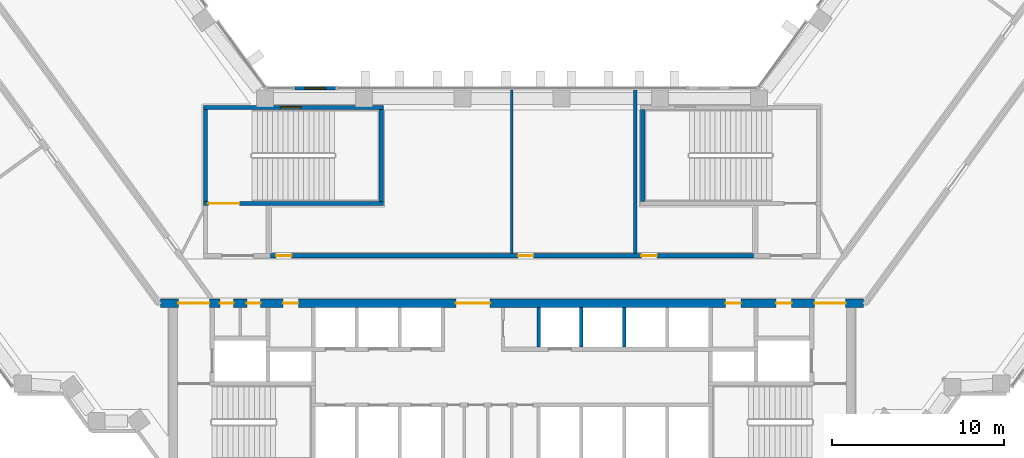
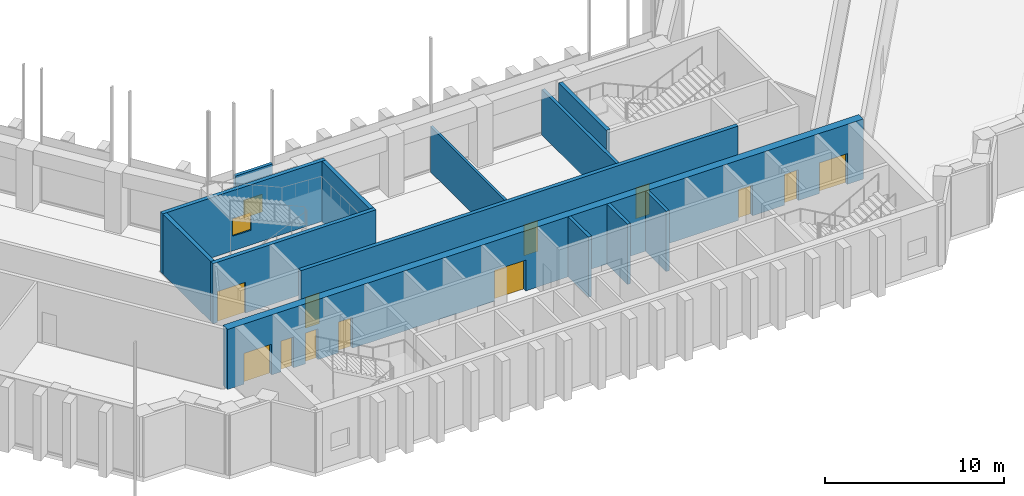
# One storey, part 11 of 18: 13 walls, 12 doors, 2 windows, 14 openings.
"""IFC4 building model written with IfcOpenShell, lengths in metres."""

import ifcopenshell
import ifcopenshell.guid

model = None  # the IFC model being written
_history = None  # IfcOwnerHistory: only IFC2X3 demands one
_inside = {}  # id of a spatial element -> (the spatial element, [elements in it])
_under = {}  # id of a project, library or spatial element -> (it, [spatial elements below it])
_declared = {}  # id of a project -> (the project, [libraries it declares])
_typed = {}  # id of a type object -> (the type object, [elements of that type])
_made_of = {}  # id of a material, layer set ... -> (it, [elements and type objects made of it])


def new_model(schema):
    """Start an empty IFC model of exactly this schema.

    Asked for "IFC4X3", IfcOpenShell would pick the latest addendum, in which some entities
    have other attributes; the version numbers below select the first issue.
    IFC2X3 requires an IfcOwnerHistory on every rooted entity: one is made here for all.
    """
    global model, _history
    if schema == "IFC4X3":
        model = ifcopenshell.file(schema_version=(4, 3, 0, 0))
    else:
        model = ifcopenshell.file(schema=schema)
    _inside.clear()
    _under.clear()
    _declared.clear()
    _typed.clear()
    _made_of.clear()
    _history = None
    if model.schema == "IFC2X3":
        org = make("IfcOrganization", Name="unknown")
        user = make(
            "IfcPersonAndOrganization",
            ThePerson=make("IfcPerson", FamilyName="unknown"),
            TheOrganization=org,
        )
        app = make(
            "IfcApplication",
            ApplicationDeveloper=org,
            Version="unknown",
            ApplicationFullName="unknown",
            ApplicationIdentifier="unknown",
        )
        _history = make(
            "IfcOwnerHistory",
            OwningUser=user,
            OwningApplication=app,
            ChangeAction="ADDED",
            CreationDate=0,
        )
    return model


def make(cls, **values):
    """One entity of the class cls with the attributes given. An attribute that is None is left unset."""
    return model.create_entity(
        cls, **{name: value for name, value in values.items() if value is not None}
    )


def rooted(cls, **values):
    """An entity with a GlobalId (a new one), such as an element, a storey or a relation."""
    return make(cls, GlobalId=ifcopenshell.guid.new(), OwnerHistory=_history, **values)


def si_unit(unit_type, name, prefix=None):
    """IfcSIUnit, for example si_unit("LENGTHUNIT", "METRE", prefix="MILLI")."""
    return make("IfcSIUnit", UnitType=unit_type, Prefix=prefix, Name=name)


def assignment(units):
    """IfcUnitAssignment: the units of a project."""
    return None if units is None else make("IfcUnitAssignment", Units=units)


def point(xyz):
    """IfcCartesianPoint."""
    return None if xyz is None else make("IfcCartesianPoint", Coordinates=xyz)


def direction(xyz):
    """IfcDirection."""
    return None if xyz is None else make("IfcDirection", DirectionRatios=xyz)


def frame(location, z_axis=None, x_axis=None):
    """IfcAxis2Placement3D, a coordinate frame: its origin and axes. An axis left out is left unset."""
    return make(
        "IfcAxis2Placement3D",
        Location=point(location),
        Axis=direction(z_axis),
        RefDirection=direction(x_axis),
    )


def frame_2d(location, x_axis=None):
    """IfcAxis2Placement2D, a coordinate frame in the plane: its origin and x axis."""
    return make(
        "IfcAxis2Placement2D", Location=point(location), RefDirection=direction(x_axis)
    )


def origin():
    """The frame at (0, 0, 0) with its axes left unset."""
    return frame((0.0, 0.0, 0.0))


def place(relative_to, where):
    """IfcLocalPlacement: puts the frame where relative to a parent placement (None: the world)."""
    return make(
        "IfcLocalPlacement", PlacementRelTo=relative_to, RelativePlacement=where
    )


def context(
    kind, dimensions, precision=None, world=None, true_north=None, identifier=None
):
    """IfcGeometricRepresentationContext, for example the 3D "Model" context."""
    return make(
        "IfcGeometricRepresentationContext",
        ContextIdentifier=identifier,
        ContextType=kind,
        CoordinateSpaceDimension=dimensions,
        Precision=precision,
        WorldCoordinateSystem=world,
        TrueNorth=true_north,
    )


def subcontext(parent, identifier, kind, view, scale=None):
    """IfcGeometricRepresentationSubContext, for example "Body" below "Model"."""
    return make(
        "IfcGeometricRepresentationSubContext",
        ContextIdentifier=identifier,
        ContextType=kind,
        ParentContext=parent,
        TargetScale=scale,
        TargetView=view,
    )


def project(units=None, contexts=None):
    """IfcProject with its units and contexts."""
    return rooted(
        "IfcProject",
        Name="project",
        RepresentationContexts=contexts,
        UnitsInContext=assignment(units),
    )


def spatial(cls, under=None, at=None, **own):
    """A site, building, storey or space (cls), placed at a placement, below another one or the project."""
    s = rooted(cls, ObjectPlacement=at, **own)
    if under is not None:
        _under.setdefault(under.id(), (under, []))[1].append(s)
    return s


def profile(cls, at=None, kind="AREA", **sizes):
    """A parametric profile (cls). Its sizes go by their IFC names, for example OverallWidth=200.0."""
    return make(cls, ProfileType=kind, Position=at, **sizes)


def rectangle(**sizes):
    """IfcRectangleProfileDef."""
    return profile("IfcRectangleProfileDef", **sizes)


def extrude(swept, where, along, depth):
    """IfcExtrudedAreaSolid: the profile swept, set in the frame where, extruded along a direction by depth."""
    return make(
        "IfcExtrudedAreaSolid",
        SweptArea=swept,
        Position=where,
        ExtrudedDirection=direction(along),
        Depth=depth,
    )


def shape(context_of_items, identifier, shape_type, items):
    """IfcShapeRepresentation: the items that make up one representation, for example the "Body"."""
    return make(
        "IfcShapeRepresentation",
        ContextOfItems=context_of_items,
        RepresentationIdentifier=identifier,
        RepresentationType=shape_type,
        Items=items,
    )


def material(Name=None, Category=None):
    """IfcMaterial."""
    return make("IfcMaterial", Name=Name, Category=Category)


def layer(
    of_material, thickness, ventilated=None, Name=None, Category=None, Priority=None
):
    """IfcMaterialLayer: one layer of a wall or slab, of a material (None: an air gap)."""
    return make(
        "IfcMaterialLayer",
        Material=of_material,
        LayerThickness=thickness,
        IsVentilated=ventilated,
        Name=Name,
        Category=Category,
        Priority=Priority,
    )


def layer_set(layers, Name=None):
    """IfcMaterialLayerSet."""
    return make("IfcMaterialLayerSet", MaterialLayers=layers, LayerSetName=Name)


def made_of(thing, what):
    """Note that an element or type object is made of a material, layer set ...; save() writes the relation."""
    if what is not None:
        _made_of.setdefault(what.id(), (what, []))[1].append(thing)
    return thing


def type_object(cls, material=None, **own):
    """A type object (cls), such as IfcWallType, which elements share."""
    return made_of(rooted(cls, **own), material)


def element(
    cls,
    number,
    at=None,
    inside=None,
    cuts=None,
    type_object=None,
    material=None,
    context=None,
    identifier="Body",
    shape_type=None,
    held_by="IfcProductDefinitionShape",
    body=None,
    shapes=None,
    **own,
):
    """One element of the class cls, such as IfcWall. Its Tag is "e" and its number.

    at: its placement. inside: the storey or other place that contains it. cuts: it is an
    opening in that element (IfcRelVoidsElement). A single representation is given by context,
    identifier, shape_type and body (its items); several are given by shapes. held_by: the class
    of the entity that holds the representations. save() writes the other relations.
    """
    e = rooted(cls, Tag="e%d" % number, ObjectPlacement=at, **own)
    if body is not None:
        shapes = [shape(context, identifier, shape_type, body)]
    if shapes is not None:
        e.Representation = make(held_by, Representations=shapes)
    if inside is not None:
        _inside.setdefault(inside.id(), (inside, []))[1].append(e)
    if cuts is not None:
        rooted(
            "IfcRelVoidsElement", RelatingBuildingElement=cuts, RelatedOpeningElement=e
        )
    if type_object is not None:
        _typed.setdefault(type_object.id(), (type_object, []))[1].append(e)
    return made_of(e, material)


def fill(opening, filler):
    """IfcRelFillsElement: the door or window that sits in an opening."""
    return rooted(
        "IfcRelFillsElement",
        RelatingOpeningElement=opening,
        RelatedBuildingElement=filler,
    )


def aggregate(whole, parts):
    """IfcRelAggregates: a whole, such as a stair, and the parts it consists of."""
    return rooted("IfcRelAggregates", RelatingObject=whole, RelatedObjects=parts)


def save(model, path):
    """Write the relations noted so far, then the file.

    IfcRelAggregates (storeys below a building ...), IfcRelContainedInSpatialStructure (elements
    in a storey), IfcRelDefinesByType, IfcRelAssociatesMaterial and IfcRelDeclares: one each for
    every whole, place, type object, material and project.
    """
    for whole, parts in _under.values():
        aggregate(whole, parts)
    for where, things in _inside.values():
        rooted(
            "IfcRelContainedInSpatialStructure",
            RelatedElements=things,
            RelatingStructure=where,
        )
    for kind, things in _typed.values():
        rooted("IfcRelDefinesByType", RelatedObjects=things, RelatingType=kind)
    for what, things in _made_of.values():
        rooted("IfcRelAssociatesMaterial", RelatedObjects=things, RelatingMaterial=what)
    for by, libraries in _declared.values():
        rooted("IfcRelDeclares", RelatingContext=by, RelatedDefinitions=libraries)
    model.write(path)


model = new_model("IFC4")

# Units and contexts
model_context = context("Model", 3, precision=1e-05, world=origin(), true_north=direction((0.0, 1.0)))
body_context = subcontext(model_context, "Body", "Model", "MODEL_VIEW")
ifc_project = project(units=[si_unit("LENGTHUNIT", "METRE"), si_unit("AREAUNIT", "SQUARE_METRE"), si_unit("VOLUMEUNIT", "CUBIC_METRE"), si_unit("PLANEANGLEUNIT", "RADIAN"), si_unit("MASSUNIT", "GRAM", prefix="KILO")], contexts=[model_context])

# Site, building, storey
site_placement = place(None, origin())
site = spatial("IfcSite", under=ifc_project, at=site_placement, CompositionType="ELEMENT")
building_placement = place(site_placement, origin())
building = spatial("IfcBuilding", under=site, at=building_placement, Name="Quipu Civic Tower", CompositionType="ELEMENT")
storey_placement = place(building_placement, frame((0.0, 0.0, 16.0)))
storey = spatial("IfcBuildingStorey", under=building, at=storey_placement, Name="L03", CompositionType="ELEMENT", Elevation=16.0)

# Walls
ifc_material_1 = material(Name="Double gypsum plasterboard with mineral wool")
ifc_layer_1 = layer(ifc_material_1, 0.14990234375)
ifc_layer_set_1 = layer_set([ifc_layer_1], Name="Double gypsum plasterboard with mineral wool")
wall_type_1 = type_object("IfcWallType", Name="Acoustic partition 150 plasterboard", PredefinedType="PARTITIONING", material=ifc_layer_set_1)
wall_1_placement = place(storey_placement, frame((-0.02001953125, 1.449951171875, 0.0), z_axis=(0.0, 0.0, 1.0), x_axis=(0.0, 1.0, 0.0)))
element("IfcWall", 1, at=wall_1_placement, inside=storey, type_object=wall_type_1, Name="Partition P03", PredefinedType="PARTITIONING", context=body_context, shape_type="SweptSolid", body=[
    extrude(rectangle(XDim=9.550048828125, YDim=0.14990234375, at=frame_2d((4.77490234375, 0.0))), origin(), (0.0, 0.0, 1.0), 3.10009765625),
])
ifc_material_2 = material(Name="Fired clay blockwork", Category="masonry")
ifc_layer_2 = layer(ifc_material_2, 0.199951171875)
ifc_layer_set_2 = layer_set([ifc_layer_2], Name="Fired clay blockwork")
wall_type_2 = type_object("IfcWallType", Name="Blockwork wall 200", PredefinedType="SOLIDWALL", material=ifc_layer_set_2)
wall_2_placement = place(storey_placement, frame((7.177978515625, 1.449951171875, 0.0), z_axis=(0.0, 0.0, 1.0), x_axis=(0.0, 1.0, 0.0)))
element("IfcWall", 2, at=wall_2_placement, inside=storey, type_object=wall_type_2, Name="Partition P09", PredefinedType="SOLIDWALL", context=body_context, shape_type="SweptSolid", body=[
    extrude(rectangle(XDim=9.550048828125, YDim=0.199951171875, at=frame_2d((4.77490234375, 0.0))), origin(), (0.0, 0.0, 1.0), 3.10009765625),
])

# Wall, opening, door
ifc_material_3 = material(Name="Concrete C70/85", Category="concrete")
ifc_layer_3 = layer(ifc_material_3, 0.25)
ifc_layer_set_3 = layer_set([ifc_layer_3], Name="Concrete C70/85")
wall_type_3 = type_object("IfcWallType", Name="Core wall 250", PredefinedType="SHEAR", material=ifc_layer_set_3)
wall_3_placement = place(storey_placement, frame((-18.0, 4.375, 0.0), z_axis=(0.0, 0.0, 1.0), x_axis=(1.0, 0.0, 0.0)))
wall_3 = element("IfcWall", 3, at=wall_3_placement, inside=storey, type_object=wall_type_3, Name="Core wall", PredefinedType="SHEAR", context=body_context, shape_type="SweptSolid", body=[
    extrude(rectangle(XDim=10.5, YDim=0.25, at=frame_2d((5.25, 0.0))), origin(), (0.0, 0.0, 1.0), 4.10009765625),
])
opening_1_placement = place(wall_3_placement, frame((0.300048828125, 0.0, 0.0)))
opening_1 = element("IfcOpeningElement", 4, at=opening_1_placement, cuts=wall_3, Name="Opening CD-17", PredefinedType="OPENING", context=body_context, shape_type="SweptSolid", body=[
    extrude(rectangle(XDim=1.800048828125, YDim=2.10009765625, at=frame_2d((0.89990234375, 1.050048828125))), frame((0.0, 0.135009765625, 0.0), z_axis=(0.0, -1.0, 0.0), x_axis=(1.0, 0.0, 0.0)), (0.0, 0.0, 1.0), 0.27001953125),
])
ifc_material_4 = material(Name="Fire rated steel door", Category="steel")
door_type_1 = type_object("IfcDoorType", Name="Fire door FD90 double 1800 x 2100", OperationType="NOTDEFINED", PredefinedType="DOOR", material=ifc_material_4)
door_1_placement = place(opening_1_placement, origin())
door_1 = element("IfcDoor", 5, at=door_1_placement, inside=storey, type_object=door_type_1, Name="Door", OperationType="DOUBLE_DOOR_SINGLE_SWING", OverallHeight=2.10009765625, OverallWidth=1.800048828125, PredefinedType="DOOR", context=body_context, shape_type="SweptSolid", body=[
    extrude(rectangle(XDim=1.800048828125, YDim=2.10009765625, at=frame_2d((0.89990234375, 1.050048828125))), frame((0.0, 0.02490234375, 0.0), z_axis=(0.0, -1.0, 0.0), x_axis=(1.0, 0.0, 0.0)), (0.0, 0.0, 1.0), 0.050048828125),
])
fill(opening_1, door_1)

# Walls
for number, where, z_axis, x_axis, name in (
    (6, (-17.875, 4.5, 0.0), (0.0, 0.0, 1.0), (0.0, 1.0, 0.0), "Core wall"),
    (7, (-7.625, 4.5, 0.0), (0.0, 0.0, 1.0), (0.0, 1.0, 0.0), "Core wall"),
):
    element("IfcWall", number, at=place(storey_placement, frame(where, z_axis=z_axis, x_axis=x_axis)), inside=storey, type_object=wall_type_3, Name=name, PredefinedType="SHEAR", context=body_context, shape_type="SweptSolid", body=[
        extrude(rectangle(XDim=5.35009765625, YDim=0.25, at=frame_2d((2.675048828125, 0.0))), origin(), (0.0, 0.0, 1.0), 4.10009765625),
    ])

# Wall, opening, window
wall_4_placement = place(storey_placement, frame((-18.0, 9.97509765625, 0.0), z_axis=(0.0, 0.0, 1.0), x_axis=(1.0, 0.0, 0.0)))
wall_4 = element("IfcWall", 8, at=wall_4_placement, inside=storey, type_object=wall_type_3, Name="Core wall", PredefinedType="SHEAR", context=body_context, shape_type="SweptSolid", body=[
    extrude(rectangle(XDim=10.5, YDim=0.25, at=frame_2d((5.25, 0.0))), origin(), (0.0, 0.0, 1.0), 4.10009765625),
])
opening_2_placement = place(wall_4_placement, frame((4.5, 0.0, 1.0)))
opening_2 = element("IfcOpeningElement", 9, at=opening_2_placement, cuts=wall_4, Name="Opening SV-3", PredefinedType="OPENING", context=body_context, shape_type="SweptSolid", body=[
    extrude(rectangle(XDim=1.199951171875, YDim=1.199951171875, at=frame_2d((0.60009765625, 0.60009765625))), frame((0.0, 0.135009765625, 0.0), z_axis=(0.0, -1.0, 0.0), x_axis=(1.0, 0.0, 0.0)), (0.0, 0.0, 1.0), 0.27001953125),
])
ifc_material_5 = material(Name="Aluminium louvre", Category="aluminium")
window_type_1 = type_object("IfcWindowType", Name="Stair ventilation louvre 1200 x 1200", PartitioningType="SINGLE_PANEL", PredefinedType="WINDOW", material=ifc_material_5)
window_1_placement = place(opening_2_placement, origin())
window_1 = element("IfcWindow", 10, at=window_1_placement, inside=storey, type_object=window_type_1, Name="Stair ventilation opening", OverallHeight=1.199951171875, OverallWidth=1.199951171875, PartitioningType="SINGLE_PANEL", PredefinedType="WINDOW", context=body_context, shape_type="SweptSolid", body=[
    extrude(rectangle(XDim=1.199951171875, YDim=1.199951171875, at=frame_2d((0.60009765625, 0.60009765625))), frame((0.0, 0.030029296875, 0.0), z_axis=(0.0, -1.0, 0.0), x_axis=(1.0, 0.0, 0.0)), (0.0, 0.0, 1.0), 0.06005859375),
])
fill(opening_2, window_1)

# Wall
wall_5_placement = place(storey_placement, frame((7.625, 4.5, 0.0), z_axis=(0.0, 0.0, 1.0), x_axis=(0.0, 1.0, 0.0)))
element("IfcWall", 11, at=wall_5_placement, inside=storey, type_object=wall_type_3, Name="Core wall", PredefinedType="SHEAR", context=body_context, shape_type="SweptSolid", body=[
    extrude(rectangle(XDim=5.35009765625, YDim=0.25, at=frame_2d((2.675048828125, 0.0))), origin(), (0.0, 0.0, 1.0), 4.10009765625),
])

# Wall, openings, doors
ifc_material_6 = material(Name="Concrete C70/85", Category="concrete")
ifc_layer_4 = layer(ifc_material_6, 0.5)
ifc_layer_set_4 = layer_set([ifc_layer_4], Name="Concrete C70/85")
wall_type_4 = type_object("IfcWallType", Name="Core wall 500", PredefinedType="SHEAR", material=ifc_layer_set_4)
wall_6_placement = place(storey_placement, frame((20.489990234375, -1.449951171875, 0.0), z_axis=(0.0, 0.0, 1.0), x_axis=(-1.0, 0.0, 0.0)))
wall_6 = element("IfcWall", 12, at=wall_6_placement, inside=storey, type_object=wall_type_4, Name="Core wall", PredefinedType="SHEAR", context=body_context, shape_type="SweptSolid", body=[
    extrude(rectangle(XDim=40.97998046875, YDim=0.5, at=frame_2d((20.489990234375, 0.0))), origin(), (0.0, 0.0, 1.0), 4.10009765625),
])
opening_3_placement = place(wall_6_placement, frame((38.139892578125, 0.0, 0.0)))
opening_3 = element("IfcOpeningElement", 13, at=opening_3_placement, cuts=wall_6, Name="Opening CD-08", PredefinedType="OPENING", context=body_context, shape_type="SweptSolid", body=[
    extrude(rectangle(XDim=1.800048828125, YDim=2.10009765625, at=frame_2d((0.89990234375, 1.050048828125))), frame((0.0, 0.260009765625, 0.0), z_axis=(0.0, -1.0, 0.0), x_axis=(1.0, 0.0, 0.0)), (0.0, 0.0, 1.0), 0.52001953125),
])
opening_4_placement = place(wall_6_placement, frame((36.7275390625, 0.0, 0.0)))
opening_4 = element("IfcOpeningElement", 14, at=opening_4_placement, cuts=wall_6, Name="Opening CD-09", PredefinedType="OPENING", context=body_context, shape_type="SweptSolid", body=[
    extrude(rectangle(XDim=0.800048828125, YDim=2.10009765625, at=frame_2d((0.39990234375, 1.050048828125))), frame((0.0, 0.260009765625, 0.0), z_axis=(0.0, -1.0, 0.0), x_axis=(1.0, 0.0, 0.0)), (0.0, 0.0, 1.0), 0.52001953125),
])
opening_5_placement = place(wall_6_placement, frame((35.152587890625, 0.0, 0.0)))
opening_5 = element("IfcOpeningElement", 15, at=opening_5_placement, cuts=wall_6, Name="Opening CD-10", PredefinedType="OPENING", context=body_context, shape_type="SweptSolid", body=[
    extrude(rectangle(XDim=0.800048828125, YDim=2.10009765625, at=frame_2d((0.39990234375, 1.050048828125))), frame((0.0, 0.260009765625, 0.0), z_axis=(0.0, -1.0, 0.0), x_axis=(1.0, 0.0, 0.0)), (0.0, 0.0, 1.0), 0.52001953125),
])
opening_6_placement = place(wall_6_placement, frame((32.93994140625, 0.0, 0.0)))
opening_6 = element("IfcOpeningElement", 16, at=opening_6_placement, cuts=wall_6, Name="Opening CD-11", PredefinedType="OPENING", context=body_context, shape_type="SweptSolid", body=[
    extrude(rectangle(XDim=0.89990234375, YDim=2.10009765625, at=frame_2d((0.449951171875, 1.050048828125))), frame((0.0, 0.260009765625, 0.0), z_axis=(0.0, -1.0, 0.0), x_axis=(1.0, 0.0, 0.0)), (0.0, 0.0, 1.0), 0.52001953125),
])
opening_7_placement = place(wall_6_placement, frame((21.764892578125, 0.0, 0.0)))
opening_7 = element("IfcOpeningElement", 17, at=opening_7_placement, cuts=wall_6, Name="Opening CD-12", PredefinedType="OPENING", context=body_context, shape_type="SweptSolid", body=[
    extrude(rectangle(XDim=2.0, YDim=2.10009765625, at=frame_2d((1.0, 1.050048828125))), frame((0.0, 0.260009765625, 0.0), z_axis=(0.0, -1.0, 0.0), x_axis=(1.0, 0.0, 0.0)), (0.0, 0.0, 1.0), 0.52001953125),
])
opening_8_placement = place(wall_6_placement, frame((7.139892578125, 0.0, 0.0)))
opening_8 = element("IfcOpeningElement", 18, at=opening_8_placement, cuts=wall_6, Name="Opening CD-13", PredefinedType="OPENING", context=body_context, shape_type="SweptSolid", body=[
    extrude(rectangle(XDim=0.89990234375, YDim=2.10009765625, at=frame_2d((0.449951171875, 1.050048828125))), frame((0.0, 0.260009765625, 0.0), z_axis=(0.0, -1.0, 0.0), x_axis=(1.0, 0.0, 0.0)), (0.0, 0.0, 1.0), 0.52001953125),
])
opening_9_placement = place(wall_6_placement, frame((4.18994140625, 0.0, 0.0)))
opening_9 = element("IfcOpeningElement", 19, at=opening_9_placement, cuts=wall_6, Name="Opening CD-14", PredefinedType="OPENING", context=body_context, shape_type="SweptSolid", body=[
    extrude(rectangle(XDim=0.89990234375, YDim=2.10009765625, at=frame_2d((0.449951171875, 1.050048828125))), frame((0.0, 0.260009765625, 0.0), z_axis=(0.0, -1.0, 0.0), x_axis=(1.0, 0.0, 0.0)), (0.0, 0.0, 1.0), 0.52001953125),
])
opening_10_placement = place(wall_6_placement, frame((1.0400390625, 0.0, 0.0)))
opening_10 = element("IfcOpeningElement", 20, at=opening_10_placement, cuts=wall_6, Name="Opening CD-15", PredefinedType="OPENING", context=body_context, shape_type="SweptSolid", body=[
    extrude(rectangle(XDim=1.800048828125, YDim=2.10009765625, at=frame_2d((0.89990234375, 1.050048828125))), frame((0.0, 0.260009765625, 0.0), z_axis=(0.0, -1.0, 0.0), x_axis=(1.0, 0.0, 0.0)), (0.0, 0.0, 1.0), 0.52001953125),
])
ifc_material_7 = material(Name="Fire rated steel door", Category="steel")
door_type_2 = type_object("IfcDoorType", Name="Fire door FD60 800 x 2100", OperationType="NOTDEFINED", PredefinedType="DOOR", material=ifc_material_7)
door_2_placement = place(opening_4_placement, origin())
door_2 = element("IfcDoor", 21, at=door_2_placement, inside=storey, type_object=door_type_2, Name="Door", OperationType="SINGLE_SWING_RIGHT", OverallHeight=2.10009765625, OverallWidth=0.800048828125, PredefinedType="DOOR", context=body_context, shape_type="SweptSolid", body=[
    extrude(rectangle(XDim=0.800048828125, YDim=2.10009765625, at=frame_2d((0.39990234375, 1.050048828125))), frame((0.0, 0.02490234375, 0.0), z_axis=(0.0, -1.0, 0.0), x_axis=(1.0, 0.0, 0.0)), (0.0, 0.0, 1.0), 0.050048828125),
])
fill(opening_4, door_2)
door_3_placement = place(opening_5_placement, origin())
door_3 = element("IfcDoor", 22, at=door_3_placement, inside=storey, type_object=door_type_2, Name="Door", OperationType="SINGLE_SWING_RIGHT", OverallHeight=2.10009765625, OverallWidth=0.800048828125, PredefinedType="DOOR", context=body_context, shape_type="SweptSolid", body=[
    extrude(rectangle(XDim=0.800048828125, YDim=2.10009765625, at=frame_2d((0.39990234375, 1.050048828125))), frame((0.0, 0.02490234375, 0.0), z_axis=(0.0, -1.0, 0.0), x_axis=(1.0, 0.0, 0.0)), (0.0, 0.0, 1.0), 0.050048828125),
])
fill(opening_5, door_3)
ifc_material_8 = material(Name="Fire rated steel door", Category="steel")
door_type_3 = type_object("IfcDoorType", Name="Fire door FD60 900 x 2100", OperationType="NOTDEFINED", PredefinedType="DOOR", material=ifc_material_8)
door_4_placement = place(opening_6_placement, origin())
door_4 = element("IfcDoor", 23, at=door_4_placement, inside=storey, type_object=door_type_3, Name="Riser door", OperationType="SINGLE_SWING_RIGHT", OverallHeight=2.10009765625, OverallWidth=0.89990234375, PredefinedType="DOOR", context=body_context, shape_type="SweptSolid", body=[
    extrude(rectangle(XDim=0.89990234375, YDim=2.10009765625, at=frame_2d((0.449951171875, 1.050048828125))), frame((0.0, 0.02490234375, 0.0), z_axis=(0.0, -1.0, 0.0), x_axis=(1.0, 0.0, 0.0)), (0.0, 0.0, 1.0), 0.050048828125),
])
fill(opening_6, door_4)
door_5_placement = place(opening_8_placement, origin())
door_5 = element("IfcDoor", 24, at=door_5_placement, inside=storey, type_object=door_type_3, Name="Riser door", OperationType="SINGLE_SWING_LEFT", OverallHeight=2.10009765625, OverallWidth=0.89990234375, PredefinedType="DOOR", context=body_context, shape_type="SweptSolid", body=[
    extrude(rectangle(XDim=0.89990234375, YDim=2.10009765625, at=frame_2d((0.449951171875, 1.050048828125))), frame((0.0, 0.02490234375, 0.0), z_axis=(0.0, -1.0, 0.0), x_axis=(1.0, 0.0, 0.0)), (0.0, 0.0, 1.0), 0.050048828125),
])
fill(opening_8, door_5)
door_6_placement = place(opening_9_placement, origin())
door_6 = element("IfcDoor", 25, at=door_6_placement, inside=storey, type_object=door_type_3, Name="Door", OperationType="SINGLE_SWING_LEFT", OverallHeight=2.10009765625, OverallWidth=0.89990234375, PredefinedType="DOOR", context=body_context, shape_type="SweptSolid", body=[
    extrude(rectangle(XDim=0.89990234375, YDim=2.10009765625, at=frame_2d((0.449951171875, 1.050048828125))), frame((0.0, 0.02490234375, 0.0), z_axis=(0.0, -1.0, 0.0), x_axis=(1.0, 0.0, 0.0)), (0.0, 0.0, 1.0), 0.050048828125),
])
fill(opening_9, door_6)
door_7_placement = place(opening_3_placement, origin())
door_7 = element("IfcDoor", 26, at=door_7_placement, inside=storey, type_object=door_type_1, Name="Lobby door", OperationType="DOUBLE_DOOR_SINGLE_SWING", OverallHeight=2.10009765625, OverallWidth=1.800048828125, PredefinedType="DOOR", context=body_context, shape_type="SweptSolid", body=[
    extrude(rectangle(XDim=1.800048828125, YDim=2.10009765625, at=frame_2d((0.89990234375, 1.050048828125))), frame((0.0, 0.02490234375, 0.0), z_axis=(0.0, -1.0, 0.0), x_axis=(1.0, 0.0, 0.0)), (0.0, 0.0, 1.0), 0.050048828125),
])
fill(opening_3, door_7)
door_8_placement = place(opening_10_placement, origin())
door_8 = element("IfcDoor", 27, at=door_8_placement, inside=storey, type_object=door_type_1, Name="Lobby door", OperationType="DOUBLE_DOOR_SINGLE_SWING", OverallHeight=2.10009765625, OverallWidth=1.800048828125, PredefinedType="DOOR", context=body_context, shape_type="SweptSolid", body=[
    extrude(rectangle(XDim=1.800048828125, YDim=2.10009765625, at=frame_2d((0.89990234375, 1.050048828125))), frame((0.0, 0.02490234375, 0.0), z_axis=(0.0, -1.0, 0.0), x_axis=(1.0, 0.0, 0.0)), (0.0, 0.0, 1.0), 0.050048828125),
])
fill(opening_10, door_8)
ifc_material_9 = material(Name="Fire rated steel door", Category="steel")
door_type_4 = type_object("IfcDoorType", Name="Fire door FD90 double 2000 x 2100", OperationType="NOTDEFINED", PredefinedType="DOOR", material=ifc_material_9)
door_9_placement = place(opening_7_placement, origin())
door_9 = element("IfcDoor", 28, at=door_9_placement, inside=storey, type_object=door_type_4, Name="Lobby door", OperationType="DOUBLE_DOOR_SINGLE_SWING", OverallHeight=2.10009765625, OverallWidth=2.0, PredefinedType="DOOR", context=body_context, shape_type="SweptSolid", body=[
    extrude(rectangle(XDim=2.0, YDim=2.10009765625, at=frame_2d((1.0, 1.050048828125))), frame((0.0, 0.02490234375, 0.0), z_axis=(0.0, -1.0, 0.0), x_axis=(1.0, 0.0, 0.0)), (0.0, 0.0, 1.0), 0.050048828125),
])
fill(opening_7, door_9)

ifc_material_10 = material(Name="Concrete C50/60", Category="concrete")
ifc_layer_5 = layer(ifc_material_10, 0.25)
ifc_layer_set_5 = layer_set([ifc_layer_5], Name="Concrete C50/60")
wall_type_5 = type_object("IfcWallType", Name="Corridor wall 250 concrete", PredefinedType="SOLIDWALL", material=ifc_layer_set_5)
wall_7_placement = place(storey_placement, frame((-14.090087890625, 1.324951171875, 0.0), z_axis=(0.0, 0.0, 1.0), x_axis=(1.0, 0.0, 0.0)))
wall_7 = element("IfcWall", 29, at=wall_7_placement, inside=storey, type_object=wall_type_5, Name="Corridor wall C05", PredefinedType="SOLIDWALL", context=body_context, shape_type="SweptSolid", body=[
    extrude(rectangle(XDim=28.18017578125, YDim=0.25, at=frame_2d((14.090087890625, 0.0))), origin(), (0.0, 0.0, 1.0), 4.10009765625),
])
opening_11_placement = place(wall_7_placement, frame((0.340087890625, 0.0, 0.0)))
opening_11 = element("IfcOpeningElement", 30, at=opening_11_placement, cuts=wall_7, Name="Opening D009", PredefinedType="OPENING", context=body_context, shape_type="SweptSolid", body=[
    extrude(rectangle(XDim=0.89990234375, YDim=2.10009765625, at=frame_2d((0.449951171875, 1.050048828125))), frame((0.0, 0.135009765625, 0.0), z_axis=(0.0, -1.0, 0.0), x_axis=(1.0, 0.0, 0.0)), (0.0, 0.0, 1.0), 0.27001953125),
])
opening_12_placement = place(wall_7_placement, frame((14.43994140625, 0.0, 0.0)))
opening_12 = element("IfcOpeningElement", 31, at=opening_12_placement, cuts=wall_7, Name="Opening D010", PredefinedType="OPENING", context=body_context, shape_type="SweptSolid", body=[
    extrude(rectangle(XDim=0.89990234375, YDim=2.10009765625, at=frame_2d((0.449951171875, 1.050048828125))), frame((0.0, 0.135009765625, 0.0), z_axis=(0.0, -1.0, 0.0), x_axis=(1.0, 0.0, 0.0)), (0.0, 0.0, 1.0), 0.27001953125),
])
opening_13_placement = place(wall_7_placement, frame((21.637939453125, 0.0, 0.0)))
opening_13 = element("IfcOpeningElement", 32, at=opening_13_placement, cuts=wall_7, Name="Opening D011", PredefinedType="OPENING", context=body_context, shape_type="SweptSolid", body=[
    extrude(rectangle(XDim=0.89990234375, YDim=2.10009765625, at=frame_2d((0.449951171875, 1.050048828125))), frame((0.0, 0.135009765625, 0.0), z_axis=(0.0, -1.0, 0.0), x_axis=(1.0, 0.0, 0.0)), (0.0, 0.0, 1.0), 0.27001953125),
])
ifc_material_11 = material(Name="Fire rated timber door set with metal frame", Category="wood")
door_type_5 = type_object("IfcDoorType", Name="Single door 900 x 2100 FD60", OperationType="NOTDEFINED", PredefinedType="DOOR", material=ifc_material_11)
door_10_placement = place(opening_11_placement, origin())
door_10 = element("IfcDoor", 33, at=door_10_placement, inside=storey, type_object=door_type_5, Name="Door D009", OperationType="SINGLE_SWING_LEFT", OverallHeight=2.10009765625, OverallWidth=0.89990234375, PredefinedType="DOOR", context=body_context, shape_type="SweptSolid", body=[
    extrude(rectangle(XDim=0.89990234375, YDim=2.10009765625, at=frame_2d((0.449951171875, 1.050048828125))), frame((0.0, 0.02490234375, 0.0), z_axis=(0.0, -1.0, 0.0), x_axis=(1.0, 0.0, 0.0)), (0.0, 0.0, 1.0), 0.050048828125),
])
fill(opening_11, door_10)
door_11_placement = place(opening_12_placement, origin())
door_11 = element("IfcDoor", 34, at=door_11_placement, inside=storey, type_object=door_type_5, Name="Door D010", OperationType="SINGLE_SWING_LEFT", OverallHeight=2.10009765625, OverallWidth=0.89990234375, PredefinedType="DOOR", context=body_context, shape_type="SweptSolid", body=[
    extrude(rectangle(XDim=0.89990234375, YDim=2.10009765625, at=frame_2d((0.449951171875, 1.050048828125))), frame((0.0, 0.02490234375, 0.0), z_axis=(0.0, -1.0, 0.0), x_axis=(1.0, 0.0, 0.0)), (0.0, 0.0, 1.0), 0.050048828125),
])
fill(opening_12, door_11)
door_12_placement = place(opening_13_placement, origin())
door_12 = element("IfcDoor", 35, at=door_12_placement, inside=storey, type_object=door_type_5, Name="Door D011", OperationType="SINGLE_SWING_LEFT", OverallHeight=2.10009765625, OverallWidth=0.89990234375, PredefinedType="DOOR", context=body_context, shape_type="SweptSolid", body=[
    extrude(rectangle(XDim=0.89990234375, YDim=2.10009765625, at=frame_2d((0.449951171875, 1.050048828125))), frame((0.0, 0.02490234375, 0.0), z_axis=(0.0, -1.0, 0.0), x_axis=(1.0, 0.0, 0.0)), (0.0, 0.0, 1.0), 0.050048828125),
])
fill(opening_13, door_12)

# Wall, opening, window
ifc_material_12 = material(Name="Precast concrete C40/50", Category="concrete")
wall_type_6 = type_object("IfcWallType", Name="Precast cladding wall", PredefinedType="SOLIDWALL", material=ifc_material_12)
wall_8_placement = place(storey_placement, frame((-10.263427734375, 11.10009765625, 0.0), z_axis=(0.0, 0.0, 1.0), x_axis=(-1.0, 0.0, 0.0)))
wall_8 = element("IfcWall", 36, at=wall_8_placement, inside=storey, type_object=wall_type_6, Name="Vent surround SF-L02-1", PredefinedType="SOLIDWALL", context=body_context, shape_type="SweptSolid", body=[
    extrude(rectangle(XDim=2.3916015625, YDim=0.199951171875, at=frame_2d((1.19580078125, 0.0))), origin(), (0.0, 0.0, 1.0), 4.10009765625),
])
opening_14_placement = place(wall_8_placement, frame((0.595703125, 0.0, 1.0)))
opening_14 = element("IfcOpeningElement", 37, at=opening_14_placement, cuts=wall_8, Name="Opening SF-L02-1", PredefinedType="OPENING", context=body_context, shape_type="SweptSolid", body=[
    extrude(rectangle(XDim=1.199951171875, YDim=1.199951171875, at=frame_2d((0.60009765625, 0.60009765625))), frame((0.0, 0.10986328125, 0.0), z_axis=(0.0, -1.0, 0.0), x_axis=(1.0, 0.0, 0.0)), (0.0, 0.0, 1.0), 0.219970703125),
])
ifc_material_13 = material(Name="Anodised aluminium louvre", Category="aluminium")
window_type_2 = type_object("IfcWindowType", Name="Stair vent louvre window P3", PartitioningType="SINGLE_PANEL", PredefinedType="WINDOW", material=ifc_material_13)
window_2_placement = place(opening_14_placement, origin())
window_2 = element("IfcWindow", 38, at=window_2_placement, inside=storey, type_object=window_type_2, Name="Stair vent louvre SF-L02-1", OverallHeight=1.199951171875, OverallWidth=1.199951171875, PartitioningType="SINGLE_PANEL", PredefinedType="WINDOW", context=body_context, shape_type="SweptSolid", body=[
    extrude(rectangle(XDim=1.199951171875, YDim=1.199951171875, at=frame_2d((0.60009765625, 0.60009765625))), frame((0.0, 0.030029296875, 0.0), z_axis=(0.0, -1.0, 0.0), x_axis=(1.0, 0.0, 0.0)), (0.0, 0.0, 1.0), 0.06005859375),
])
fill(opening_14, window_2)

# Walls
ifc_material_14 = material(Name="Concrete C40/50", Category="concrete")
ifc_layer_6 = layer(ifc_material_14, 0.199951171875)
ifc_layer_set_6 = layer_set([ifc_layer_6], Name="Concrete C40/50")
wall_type_7 = type_object("IfcWallType", Name="Shaft wall 200", PredefinedType="SOLIDWALL", material=ifc_layer_set_6)
for number, where, z_axis, x_axis, name in (
    (39, (1.550048828125, -4.0, 0.0), (0.0, 0.0, 1.0), (0.0, 1.0, 0.0), "Shaft wall"),
    (40, (4.050048828125, -4.0, 0.0), (0.0, 0.0, 1.0), (0.0, 1.0, 0.0), "Shaft wall"),
    (41, (6.550048828125, -4.0, 0.0), (0.0, 0.0, 1.0), (0.0, 1.0, 0.0), "Shaft wall"),
):
    element("IfcWall", number, at=place(storey_placement, frame(where, z_axis=z_axis, x_axis=x_axis)), inside=storey, type_object=wall_type_7, Name=name, PredefinedType="SOLIDWALL", context=body_context, shape_type="SweptSolid", body=[
        extrude(rectangle(XDim=2.300048828125, YDim=0.199951171875, at=frame_2d((1.14990234375, 0.0))), origin(), (0.0, 0.0, 1.0), 4.10009765625),
    ])

save(model, "model.ifc")
